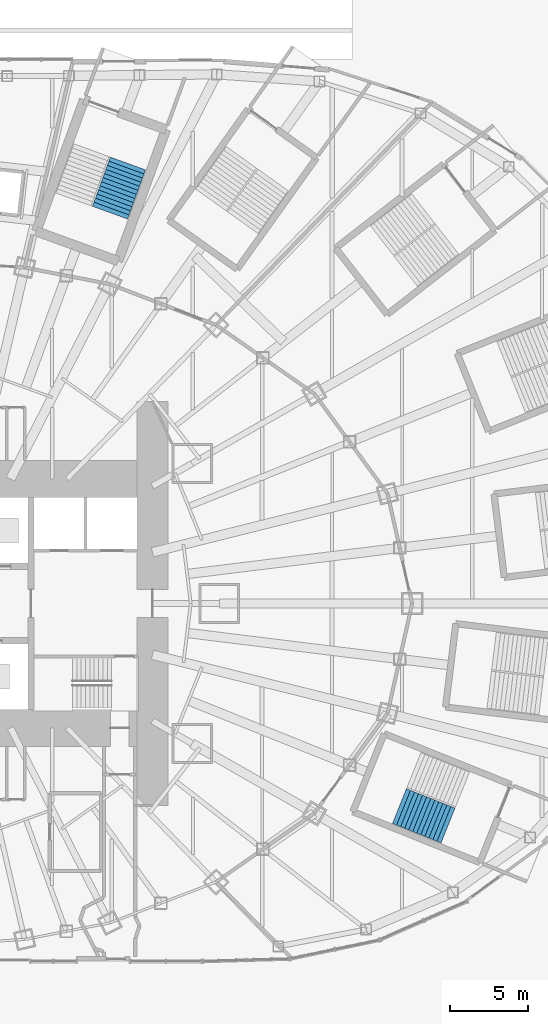
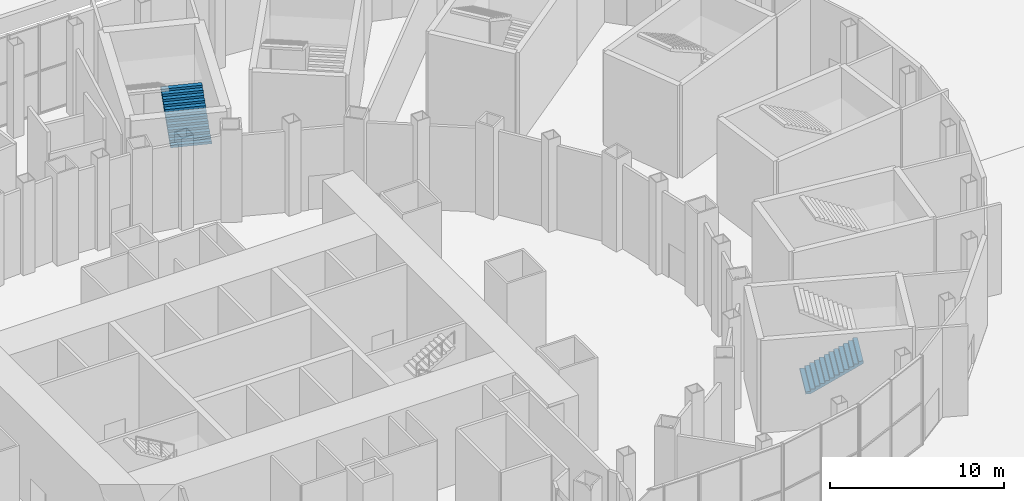
# One storey, part 36 of 47: 2 stair flights, 2 elements without a shape of their own.
"""IFC4 building model written with IfcOpenShell, lengths in metres."""

from ifc_helpers import new_model, si_unit, direction, frame, origin, place, context, subcontext, project, spatial, triangles, material, type_object, element, aggregate, save


model = new_model("IFC4")

# Units and contexts
model_context = context("Model", 3, precision=1e-05, world=origin(), true_north=direction((0.0, 1.0)))
body_context = subcontext(model_context, "Body", "Model", "MODEL_VIEW")
ifc_project = project(units=[si_unit("LENGTHUNIT", "METRE"), si_unit("AREAUNIT", "SQUARE_METRE"), si_unit("VOLUMEUNIT", "CUBIC_METRE"), si_unit("PLANEANGLEUNIT", "RADIAN"), si_unit("MASSUNIT", "GRAM", prefix="KILO")], contexts=[model_context])

# Site, building, storey
site_placement = place(None, origin())
site = spatial("IfcSite", under=ifc_project, at=site_placement, CompositionType="ELEMENT")
building_placement = place(site_placement, origin())
building = spatial("IfcBuilding", under=site, at=building_placement, Name="Lantaw Convention Tower", CompositionType="ELEMENT")
storey_placement = place(building_placement, origin())
storey = spatial("IfcBuildingStorey", under=building, at=storey_placement, Name="L00", CompositionType="ELEMENT", Elevation=0.0)

# Stair, stair flight
ifc_material = material(Name="Concrete C35/45", Category="concrete")
stair_type = type_object("IfcStairType", Name="Exit stair 2400 riser 166.67 in 3 flights", PredefinedType="HALF_TURN_STAIR", material=ifc_material)
stair_1_placement = place(storey_placement, origin())
stair_1 = element("IfcStair", 1, at=stair_1_placement, inside=storey, type_object=stair_type, Name="Podium exit stair P5 L00", PredefinedType="HALF_TURN_STAIR")
stair_flight_type = type_object("IfcStairFlightType", Name="Stair flight 2400 riser 166.67", PredefinedType="STRAIGHT", material=ifc_material)
stair_flight_1_placement = place(storey_placement, frame((10.476318359375, 25.128662109375, 2.166748046875), z_axis=(0.0, 0.0, 1.0), x_axis=(0.342020143326, 0.939692620786, 0.0)))
stair_flight_1 = element("IfcStairFlight", 2, at=stair_flight_1_placement, type_object=stair_flight_type, Name="P5 flight 2", NumberOfRisers=13, NumberOfTreads=12, PredefinedType="STRAIGHT", RiserHeight=0.166666667, TreadLength=0.28, context=body_context, shape_type="Tessellation", body=[
    triangles([(0.0, 1.199951171875, 0.0), (0.0, 1.199951171875, 0.166666667), (0.28, 1.199951171875, 0.0), (0.28, 1.199951171875, 0.166666667), (0.28, 1.199951171875, 0.333333334), (0.29307345806906815, 1.199951171875, 0.0), (0.29307345806906815, 1.199951171875, 0.333333334), (0.56, 1.199951171875, 0.15888484670522912), (0.56, 1.199951171875, 0.333333334), (0.56, 1.199951171875, 0.500000001), (0.8400000000000001, 1.199951171875, 0.3255515137052291), (0.8400000000000001, 1.199951171875, 0.500000001), (0.8400000000000001, 1.199951171875, 0.666666668), (1.12, 1.199951171875, 0.49221818070522905), (1.12, 1.199951171875, 0.666666668), (1.12, 1.199951171875, 0.833333335), (1.4000000000000001, 1.199951171875, 0.658884847705229), (1.4000000000000001, 1.199951171875, 0.833333335), (1.4000000000000001, 1.199951171875, 1.000000002), (1.6800000000000002, 1.199951171875, 0.825551514705229), (1.6800000000000002, 1.199951171875, 1.000000002), (1.6800000000000002, 1.199951171875, 1.166666669), (1.9600000000000002, 1.199951171875, 0.992218181705229), (1.9600000000000002, 1.199951171875, 1.166666669), (1.9600000000000002, 1.199951171875, 1.333333336), (2.24, 1.199951171875, 1.158884848705229), (2.24, 1.199951171875, 1.333333336), (2.24, 1.199951171875, 1.5000000029999998), (2.5200000000000005, 1.199951171875, 1.325551515705229), (2.5200000000000005, 1.199951171875, 1.5000000029999998), (2.5200000000000005, 1.199951171875, 1.66666667), (2.8000000000000003, 1.199951171875, 1.492218182705229), (2.8000000000000003, 1.199951171875, 1.66666667), (2.8000000000000003, 1.199951171875, 1.833333337), (3.08, 1.199951171875, 1.6588848497052289), (3.08, 1.199951171875, 1.833333337), (3.08, 1.199951171875, 2.000000004), (3.3600000000000003, 1.199951171875, 1.825551516705229), (3.3600000000000003, 1.199951171875, 2.000000004), (0.0, -1.199951171875, 0.0), (0.0, -1.199951171875, 0.166666667), (0.28, -1.199951171875, 0.0), (0.28, -1.199951171875, 0.166666667), (0.28, -1.199951171875, 0.333333334), (0.29307345806906815, -1.199951171875, 0.0), (0.29307345806906815, -1.199951171875, 0.333333334), (0.56, -1.199951171875, 0.15888484670522912), (0.56, -1.199951171875, 0.333333334), (0.56, -1.199951171875, 0.500000001), (0.8400000000000001, -1.199951171875, 0.3255515137052291), (0.8400000000000001, -1.199951171875, 0.500000001), (0.8400000000000001, -1.199951171875, 0.666666668), (1.12, -1.199951171875, 0.49221818070522905), (1.12, -1.199951171875, 0.666666668), (1.12, -1.199951171875, 0.833333335), (1.4000000000000001, -1.199951171875, 0.658884847705229), (1.4000000000000001, -1.199951171875, 0.833333335), (1.4000000000000001, -1.199951171875, 1.000000002), (1.6800000000000002, -1.199951171875, 0.825551514705229), (1.6800000000000002, -1.199951171875, 1.000000002), (1.6800000000000002, -1.199951171875, 1.166666669), (1.9600000000000002, -1.199951171875, 0.992218181705229), (1.9600000000000002, -1.199951171875, 1.166666669), (1.9600000000000002, -1.199951171875, 1.333333336), (2.24, -1.199951171875, 1.158884848705229), (2.24, -1.199951171875, 1.333333336), (2.24, -1.199951171875, 1.5000000029999998), (2.5200000000000005, -1.199951171875, 1.325551515705229), (2.5200000000000005, -1.199951171875, 1.5000000029999998), (2.5200000000000005, -1.199951171875, 1.66666667), (2.8000000000000003, -1.199951171875, 1.492218182705229), (2.8000000000000003, -1.199951171875, 1.66666667), (2.8000000000000003, -1.199951171875, 1.833333337), (3.08, -1.199951171875, 1.6588848497052289), (3.08, -1.199951171875, 1.833333337), (3.08, -1.199951171875, 2.000000004), (3.3600000000000003, -1.199951171875, 1.825551516705229), (3.3600000000000003, -1.199951171875, 2.000000004), (0.0, 0.239990234375, 0.166666667), (0.0, 0.239990234375, 0.0), (0.0, 0.0, 0.166666667), (0.0, 0.0, 0.0), (0.0, -0.239990234375, 0.166666667), (0.0, -0.239990234375, 0.0), (0.28, 0.239990234375, 0.333333334), (0.28, 0.239990234375, 0.166666667), (0.28, 0.0, 0.333333334), (0.28, 0.0, 0.166666667), (0.28, -0.239990234375, 0.333333334), (0.28, -0.239990234375, 0.166666667), (0.56, 0.239990234375, 0.500000001), (0.56, 0.239990234375, 0.333333334), (0.56, 0.0, 0.500000001), (0.56, 0.0, 0.333333334), (0.56, -0.239990234375, 0.500000001), (0.56, -0.239990234375, 0.333333334), (0.8400000000000001, 0.239990234375, 0.666666668), (0.8400000000000001, 0.239990234375, 0.500000001), (0.8400000000000001, 0.0, 0.666666668), (0.8400000000000001, 0.0, 0.500000001), (0.8400000000000001, -0.239990234375, 0.666666668), (0.8400000000000001, -0.239990234375, 0.500000001), (1.12, 0.239990234375, 0.833333335), (1.12, 0.239990234375, 0.666666668), (1.12, 0.0, 0.833333335), (1.12, 0.0, 0.666666668), (1.12, -0.239990234375, 0.833333335), (1.12, -0.239990234375, 0.666666668), (1.4000000000000001, 0.239990234375, 1.000000002), (1.4000000000000001, 0.239990234375, 0.833333335), (1.4000000000000001, 0.0, 1.000000002), (1.4000000000000001, 0.0, 0.833333335), (1.4000000000000001, -0.239990234375, 1.000000002), (1.4000000000000001, -0.239990234375, 0.833333335), (1.6800000000000002, 0.239990234375, 1.166666669), (1.6800000000000002, 0.239990234375, 1.000000002), (1.6800000000000002, 0.0, 1.166666669), (1.6800000000000002, 0.0, 1.000000002), (1.6800000000000002, -0.239990234375, 1.166666669), (1.6800000000000002, -0.239990234375, 1.000000002), (1.9600000000000002, 0.239990234375, 1.333333336), (1.9600000000000002, 0.239990234375, 1.166666669), (1.9600000000000002, 0.0, 1.333333336), (1.9600000000000002, 0.0, 1.166666669), (1.9600000000000002, -0.239990234375, 1.333333336), (1.9600000000000002, -0.239990234375, 1.166666669), (2.24, 0.239990234375, 1.5000000029999998), (2.24, 0.239990234375, 1.333333336), (2.24, 0.0, 1.5000000029999998), (2.24, 0.0, 1.333333336), (2.24, -0.239990234375, 1.5000000029999998), (2.24, -0.239990234375, 1.333333336), (2.5200000000000005, 0.239990234375, 1.66666667), (2.5200000000000005, 0.239990234375, 1.5000000029999998), (2.5200000000000005, 0.0, 1.66666667), (2.5200000000000005, 0.0, 1.5000000029999998), (2.5200000000000005, -0.239990234375, 1.66666667), (2.5200000000000005, -0.239990234375, 1.5000000029999998), (2.8000000000000003, 0.239990234375, 1.833333337), (2.8000000000000003, 0.239990234375, 1.66666667), (2.8000000000000003, 0.0, 1.833333337), (2.8000000000000003, 0.0, 1.66666667), (2.8000000000000003, -0.239990234375, 1.833333337), (2.8000000000000003, -0.239990234375, 1.66666667), (3.08, 0.239990234375, 2.000000004), (3.08, 0.239990234375, 1.833333337), (3.08, 0.0, 2.000000004), (3.08, 0.0, 1.833333337), (3.08, -0.239990234375, 2.000000004), (3.08, -0.239990234375, 1.833333337), (0.29307345806906815, 0.239990234375, 0.333333334), (0.29307345806906815, 0.0, 0.333333334), (0.29307345806906815, -0.239990234375, 0.333333334), (3.3600000000000003, 0.239990234375, 2.000000004), (3.3600000000000003, 0.0, 2.000000004), (3.3600000000000003, -0.239990234375, 2.000000004), (3.3600000000000003, 0.239990234375, 1.8255515167052292), (3.3600000000000003, 0.0, 1.8255515167052292), (3.3600000000000003, -0.239990234375, 1.8255515167052292), (3.08, 0.239990234375, 1.6588848497052289), (3.08, 0.0, 1.6588848497052289), (3.08, -0.239990234375, 1.6588848497052289), (2.8000000000000003, 0.239990234375, 1.492218182705229), (2.8000000000000003, 0.0, 1.492218182705229), (2.8000000000000003, -0.239990234375, 1.492218182705229), (2.5200000000000005, 0.239990234375, 1.325551515705229), (2.5200000000000005, 0.0, 1.325551515705229), (2.5200000000000005, -0.239990234375, 1.325551515705229), (2.24, 0.239990234375, 1.158884848705229), (2.24, 0.0, 1.158884848705229), (2.24, -0.239990234375, 1.158884848705229), (1.9600000000000002, 0.239990234375, 0.992218181705229), (1.9600000000000002, 0.0, 0.992218181705229), (1.9600000000000002, -0.239990234375, 0.992218181705229), (1.6800000000000002, 0.239990234375, 0.825551514705229), (1.6800000000000002, 0.0, 0.825551514705229), (1.6800000000000002, -0.239990234375, 0.825551514705229), (1.4000000000000001, 0.239990234375, 0.658884847705229), (1.4000000000000001, 0.0, 0.658884847705229), (1.4000000000000001, -0.239990234375, 0.658884847705229), (1.12, 0.239990234375, 0.49221818070522905), (1.12, 0.0, 0.49221818070522905), (1.12, -0.239990234375, 0.49221818070522905), (0.8400000000000001, 0.239990234375, 0.3255515137052291), (0.8400000000000001, 0.0, 0.3255515137052291), (0.8400000000000001, -0.239990234375, 0.3255515137052291), (0.56, 0.239990234375, 0.15888484670522912), (0.56, 0.0, 0.15888484670522912), (0.56, -0.239990234375, 0.15888484670522912), (0.29307345806906815, 0.239990234375, 0.0), (0.29307345806906815, 0.0, 0.0), (0.29307345806906815, -0.239990234375, 0.0), (0.28, 0.239990234375, 0.0), (0.28, 0.0, 0.0), (0.28, -0.239990234375, 0.0)], [[1, 4, 3], [1, 2, 4], [3, 4, 6], [4, 7, 6], [4, 5, 7], [6, 9, 8], [6, 7, 9], [8, 9, 11], [9, 12, 11], [9, 10, 12], [11, 12, 14], [12, 15, 14], [12, 13, 15], [14, 15, 17], [15, 18, 17], [15, 16, 18], [17, 18, 20], [18, 21, 20], [18, 19, 21], [20, 21, 23], [21, 24, 23], [21, 22, 24], [23, 24, 26], [24, 27, 26], [24, 25, 27], [26, 27, 29], [27, 30, 29], [27, 28, 30], [29, 30, 32], [30, 33, 32], [30, 31, 33], [32, 33, 35], [33, 36, 35], [33, 34, 36], [35, 36, 38], [36, 39, 38], [36, 37, 39], [40, 42, 43], [40, 43, 41], [42, 45, 43], [43, 45, 46], [43, 46, 44], [45, 47, 48], [45, 48, 46], [47, 50, 48], [48, 50, 51], [48, 51, 49], [50, 53, 51], [51, 53, 54], [51, 54, 52], [53, 56, 54], [54, 56, 57], [54, 57, 55], [56, 59, 57], [57, 59, 60], [57, 60, 58], [59, 62, 60], [60, 62, 63], [60, 63, 61], [62, 65, 63], [63, 65, 66], [63, 66, 64], [65, 68, 66], [66, 68, 69], [66, 69, 67], [68, 71, 69], [69, 71, 72], [69, 72, 70], [71, 74, 72], [72, 74, 75], [72, 75, 73], [74, 77, 75], [75, 77, 78], [75, 78, 76], [1, 79, 2], [1, 80, 79], [80, 81, 79], [80, 82, 81], [82, 83, 81], [82, 84, 83], [84, 41, 83], [84, 40, 41], [4, 85, 5], [4, 86, 85], [86, 87, 85], [86, 88, 87], [88, 89, 87], [88, 90, 89], [90, 44, 89], [90, 43, 44], [9, 91, 10], [9, 92, 91], [92, 93, 91], [92, 94, 93], [94, 95, 93], [94, 96, 95], [96, 49, 95], [96, 48, 49], [12, 97, 13], [12, 98, 97], [98, 99, 97], [98, 100, 99], [100, 101, 99], [100, 102, 101], [102, 52, 101], [102, 51, 52], [15, 103, 16], [15, 104, 103], [104, 105, 103], [104, 106, 105], [106, 107, 105], [106, 108, 107], [108, 55, 107], [108, 54, 55], [18, 109, 19], [18, 110, 109], [110, 111, 109], [110, 112, 111], [112, 113, 111], [112, 114, 113], [114, 58, 113], [114, 57, 58], [21, 115, 22], [21, 116, 115], [116, 117, 115], [116, 118, 117], [118, 119, 117], [118, 120, 119], [120, 61, 119], [120, 60, 61], [24, 121, 25], [24, 122, 121], [122, 123, 121], [122, 124, 123], [124, 125, 123], [124, 126, 125], [126, 64, 125], [126, 63, 64], [27, 127, 28], [27, 128, 127], [128, 129, 127], [128, 130, 129], [130, 131, 129], [130, 132, 131], [132, 67, 131], [132, 66, 67], [30, 133, 31], [30, 134, 133], [134, 135, 133], [134, 136, 135], [136, 137, 135], [136, 138, 137], [138, 70, 137], [138, 69, 70], [33, 139, 34], [33, 140, 139], [140, 141, 139], [140, 142, 141], [142, 143, 141], [142, 144, 143], [144, 73, 143], [144, 72, 73], [36, 145, 37], [36, 146, 145], [146, 147, 145], [146, 148, 147], [148, 149, 147], [148, 150, 149], [150, 76, 149], [150, 75, 76], [2, 86, 4], [2, 79, 86], [79, 88, 86], [79, 81, 88], [81, 90, 88], [81, 83, 90], [83, 43, 90], [83, 41, 43], [5, 151, 7], [5, 85, 151], [85, 152, 151], [85, 87, 152], [87, 153, 152], [87, 89, 153], [89, 46, 153], [89, 44, 46], [7, 92, 9], [7, 151, 92], [151, 94, 92], [151, 152, 94], [152, 96, 94], [152, 153, 96], [153, 48, 96], [153, 46, 48], [10, 98, 12], [10, 91, 98], [91, 100, 98], [91, 93, 100], [93, 102, 100], [93, 95, 102], [95, 51, 102], [95, 49, 51], [13, 104, 15], [13, 97, 104], [97, 106, 104], [97, 99, 106], [99, 108, 106], [99, 101, 108], [101, 54, 108], [101, 52, 54], [16, 110, 18], [16, 103, 110], [103, 112, 110], [103, 105, 112], [105, 114, 112], [105, 107, 114], [107, 57, 114], [107, 55, 57], [19, 116, 21], [19, 109, 116], [109, 118, 116], [109, 111, 118], [111, 120, 118], [111, 113, 120], [113, 60, 120], [113, 58, 60], [22, 122, 24], [22, 115, 122], [115, 124, 122], [115, 117, 124], [117, 126, 124], [117, 119, 126], [119, 63, 126], [119, 61, 63], [25, 128, 27], [25, 121, 128], [121, 130, 128], [121, 123, 130], [123, 132, 130], [123, 125, 132], [125, 66, 132], [125, 64, 66], [28, 134, 30], [28, 127, 134], [127, 136, 134], [127, 129, 136], [129, 138, 136], [129, 131, 138], [131, 69, 138], [131, 67, 69], [31, 140, 33], [31, 133, 140], [133, 142, 140], [133, 135, 142], [135, 144, 142], [135, 137, 144], [137, 72, 144], [137, 70, 72], [34, 146, 36], [34, 139, 146], [139, 148, 146], [139, 141, 148], [141, 150, 148], [141, 143, 150], [143, 75, 150], [143, 73, 75], [37, 154, 39], [37, 145, 154], [145, 155, 154], [145, 147, 155], [147, 156, 155], [147, 149, 156], [149, 78, 156], [149, 76, 78], [39, 157, 38], [39, 154, 157], [154, 158, 157], [154, 155, 158], [155, 159, 158], [155, 156, 159], [156, 77, 159], [156, 78, 77], [38, 160, 35], [38, 157, 160], [157, 161, 160], [157, 158, 161], [158, 162, 161], [158, 159, 162], [159, 74, 162], [159, 77, 74], [35, 163, 32], [35, 160, 163], [160, 164, 163], [160, 161, 164], [161, 165, 164], [161, 162, 165], [162, 71, 165], [162, 74, 71], [32, 166, 29], [32, 163, 166], [163, 167, 166], [163, 164, 167], [164, 168, 167], [164, 165, 168], [165, 68, 168], [165, 71, 68], [29, 169, 26], [29, 166, 169], [166, 170, 169], [166, 167, 170], [167, 171, 170], [167, 168, 171], [168, 65, 171], [168, 68, 65], [26, 172, 23], [26, 169, 172], [169, 173, 172], [169, 170, 173], [170, 174, 173], [170, 171, 174], [171, 62, 174], [171, 65, 62], [23, 175, 20], [23, 172, 175], [172, 176, 175], [172, 173, 176], [173, 177, 176], [173, 174, 177], [174, 59, 177], [174, 62, 59], [20, 178, 17], [20, 175, 178], [175, 179, 178], [175, 176, 179], [176, 180, 179], [176, 177, 180], [177, 56, 180], [177, 59, 56], [17, 181, 14], [17, 178, 181], [178, 182, 181], [178, 179, 182], [179, 183, 182], [179, 180, 183], [180, 53, 183], [180, 56, 53], [14, 184, 11], [14, 181, 184], [181, 185, 184], [181, 182, 185], [182, 186, 185], [182, 183, 186], [183, 50, 186], [183, 53, 50], [11, 187, 8], [11, 184, 187], [184, 188, 187], [184, 185, 188], [185, 189, 188], [185, 186, 189], [186, 47, 189], [186, 50, 47], [8, 190, 6], [8, 187, 190], [187, 191, 190], [187, 188, 191], [188, 192, 191], [188, 189, 192], [189, 45, 192], [189, 47, 45], [6, 193, 3], [6, 190, 193], [190, 194, 193], [190, 191, 194], [191, 195, 194], [191, 192, 195], [192, 42, 195], [192, 45, 42], [3, 80, 1], [3, 193, 80], [193, 82, 80], [193, 194, 82], [194, 84, 82], [194, 195, 84], [195, 40, 84], [195, 42, 40]], closed=True),
])
aggregate(stair_1, [stair_flight_1])

stair_2_placement = place(storey_placement, origin())
stair_2 = element("IfcStair", 3, at=stair_2_placement, inside=storey, type_object=stair_type, Name="Podium exit stair P12 L00", PredefinedType="HALF_TURN_STAIR")
stair_flight_2_placement = place(storey_placement, frame((29.08642578125, -13.0234375, 2.166748046875), z_axis=(0.0, 0.0, 1.0), x_axis=(0.928015818512, -0.372540790506, 0.0)))
stair_flight_2 = element("IfcStairFlight", 4, at=stair_flight_2_placement, type_object=stair_flight_type, Name="P12 flight 2", NumberOfRisers=13, NumberOfTreads=12, PredefinedType="STRAIGHT", RiserHeight=0.166666667, TreadLength=0.28, context=body_context, shape_type="Tessellation", body=[
    triangles([(0.0, 1.199951171875, 0.0), (0.0, 1.199951171875, 0.166666667), (0.28, 1.199951171875, 0.0), (0.28, 1.199951171875, 0.166666667), (0.28, 1.199951171875, 0.333333334), (0.29307345806906815, 1.199951171875, 0.0), (0.29307345806906815, 1.199951171875, 0.333333334), (0.56, 1.199951171875, 0.15888484670522912), (0.56, 1.199951171875, 0.333333334), (0.56, 1.199951171875, 0.500000001), (0.8400000000000001, 1.199951171875, 0.3255515137052291), (0.8400000000000001, 1.199951171875, 0.500000001), (0.8400000000000001, 1.199951171875, 0.666666668), (1.12, 1.199951171875, 0.49221818070522905), (1.12, 1.199951171875, 0.666666668), (1.12, 1.199951171875, 0.833333335), (1.4000000000000001, 1.199951171875, 0.658884847705229), (1.4000000000000001, 1.199951171875, 0.833333335), (1.4000000000000001, 1.199951171875, 1.000000002), (1.6800000000000002, 1.199951171875, 0.825551514705229), (1.6800000000000002, 1.199951171875, 1.000000002), (1.6800000000000002, 1.199951171875, 1.166666669), (1.9600000000000002, 1.199951171875, 0.992218181705229), (1.9600000000000002, 1.199951171875, 1.166666669), (1.9600000000000002, 1.199951171875, 1.333333336), (2.24, 1.199951171875, 1.158884848705229), (2.24, 1.199951171875, 1.333333336), (2.24, 1.199951171875, 1.5000000029999998), (2.5200000000000005, 1.199951171875, 1.325551515705229), (2.5200000000000005, 1.199951171875, 1.5000000029999998), (2.5200000000000005, 1.199951171875, 1.66666667), (2.8000000000000003, 1.199951171875, 1.492218182705229), (2.8000000000000003, 1.199951171875, 1.66666667), (2.8000000000000003, 1.199951171875, 1.833333337), (3.08, 1.199951171875, 1.6588848497052289), (3.08, 1.199951171875, 1.833333337), (3.08, 1.199951171875, 2.000000004), (3.3600000000000003, 1.199951171875, 1.825551516705229), (3.3600000000000003, 1.199951171875, 2.000000004), (0.0, -1.199951171875, 0.0), (0.0, -1.199951171875, 0.166666667), (0.28, -1.199951171875, 0.0), (0.28, -1.199951171875, 0.166666667), (0.28, -1.199951171875, 0.333333334), (0.29307345806906815, -1.199951171875, 0.0), (0.29307345806906815, -1.199951171875, 0.333333334), (0.56, -1.199951171875, 0.15888484670522912), (0.56, -1.199951171875, 0.333333334), (0.56, -1.199951171875, 0.500000001), (0.8400000000000001, -1.199951171875, 0.3255515137052291), (0.8400000000000001, -1.199951171875, 0.500000001), (0.8400000000000001, -1.199951171875, 0.666666668), (1.12, -1.199951171875, 0.49221818070522905), (1.12, -1.199951171875, 0.666666668), (1.12, -1.199951171875, 0.833333335), (1.4000000000000001, -1.199951171875, 0.658884847705229), (1.4000000000000001, -1.199951171875, 0.833333335), (1.4000000000000001, -1.199951171875, 1.000000002), (1.6800000000000002, -1.199951171875, 0.825551514705229), (1.6800000000000002, -1.199951171875, 1.000000002), (1.6800000000000002, -1.199951171875, 1.166666669), (1.9600000000000002, -1.199951171875, 0.992218181705229), (1.9600000000000002, -1.199951171875, 1.166666669), (1.9600000000000002, -1.199951171875, 1.333333336), (2.24, -1.199951171875, 1.158884848705229), (2.24, -1.199951171875, 1.333333336), (2.24, -1.199951171875, 1.5000000029999998), (2.5200000000000005, -1.199951171875, 1.325551515705229), (2.5200000000000005, -1.199951171875, 1.5000000029999998), (2.5200000000000005, -1.199951171875, 1.66666667), (2.8000000000000003, -1.199951171875, 1.492218182705229), (2.8000000000000003, -1.199951171875, 1.66666667), (2.8000000000000003, -1.199951171875, 1.833333337), (3.08, -1.199951171875, 1.6588848497052289), (3.08, -1.199951171875, 1.833333337), (3.08, -1.199951171875, 2.000000004), (3.3600000000000003, -1.199951171875, 1.825551516705229), (3.3600000000000003, -1.199951171875, 2.000000004), (0.0, 0.239990234375, 0.166666667), (0.0, 0.239990234375, 0.0), (0.0, 0.0, 0.166666667), (0.0, 0.0, 0.0), (0.0, -0.239990234375, 0.166666667), (0.0, -0.239990234375, 0.0), (0.28, 0.239990234375, 0.333333334), (0.28, 0.239990234375, 0.166666667), (0.28, 0.0, 0.333333334), (0.28, 0.0, 0.166666667), (0.28, -0.239990234375, 0.333333334), (0.28, -0.239990234375, 0.166666667), (0.56, 0.239990234375, 0.500000001), (0.56, 0.239990234375, 0.333333334), (0.56, 0.0, 0.500000001), (0.56, 0.0, 0.333333334), (0.56, -0.239990234375, 0.500000001), (0.56, -0.239990234375, 0.333333334), (0.8400000000000001, 0.239990234375, 0.666666668), (0.8400000000000001, 0.239990234375, 0.500000001), (0.8400000000000001, 0.0, 0.666666668), (0.8400000000000001, 0.0, 0.500000001), (0.8400000000000001, -0.239990234375, 0.666666668), (0.8400000000000001, -0.239990234375, 0.500000001), (1.12, 0.239990234375, 0.833333335), (1.12, 0.239990234375, 0.666666668), (1.12, 0.0, 0.833333335), (1.12, 0.0, 0.666666668), (1.12, -0.239990234375, 0.833333335), (1.12, -0.239990234375, 0.666666668), (1.4000000000000001, 0.239990234375, 1.000000002), (1.4000000000000001, 0.239990234375, 0.833333335), (1.4000000000000001, 0.0, 1.000000002), (1.4000000000000001, 0.0, 0.833333335), (1.4000000000000001, -0.239990234375, 1.000000002), (1.4000000000000001, -0.239990234375, 0.833333335), (1.6800000000000002, 0.239990234375, 1.166666669), (1.6800000000000002, 0.239990234375, 1.000000002), (1.6800000000000002, 0.0, 1.166666669), (1.6800000000000002, 0.0, 1.000000002), (1.6800000000000002, -0.239990234375, 1.166666669), (1.6800000000000002, -0.239990234375, 1.000000002), (1.9600000000000002, 0.239990234375, 1.333333336), (1.9600000000000002, 0.239990234375, 1.166666669), (1.9600000000000002, 0.0, 1.333333336), (1.9600000000000002, 0.0, 1.166666669), (1.9600000000000002, -0.239990234375, 1.333333336), (1.9600000000000002, -0.239990234375, 1.166666669), (2.24, 0.239990234375, 1.5000000029999998), (2.24, 0.239990234375, 1.333333336), (2.24, 0.0, 1.5000000029999998), (2.24, 0.0, 1.333333336), (2.24, -0.239990234375, 1.5000000029999998), (2.24, -0.239990234375, 1.333333336), (2.5200000000000005, 0.239990234375, 1.66666667), (2.5200000000000005, 0.239990234375, 1.5000000029999998), (2.5200000000000005, 0.0, 1.66666667), (2.5200000000000005, 0.0, 1.5000000029999998), (2.5200000000000005, -0.239990234375, 1.66666667), (2.5200000000000005, -0.239990234375, 1.5000000029999998), (2.8000000000000003, 0.239990234375, 1.833333337), (2.8000000000000003, 0.239990234375, 1.66666667), (2.8000000000000003, 0.0, 1.833333337), (2.8000000000000003, 0.0, 1.66666667), (2.8000000000000003, -0.239990234375, 1.833333337), (2.8000000000000003, -0.239990234375, 1.66666667), (3.08, 0.239990234375, 2.000000004), (3.08, 0.239990234375, 1.833333337), (3.08, 0.0, 2.000000004), (3.08, 0.0, 1.833333337), (3.08, -0.239990234375, 2.000000004), (3.08, -0.239990234375, 1.833333337), (0.29307345806906815, 0.239990234375, 0.333333334), (0.29307345806906815, 0.0, 0.333333334), (0.29307345806906815, -0.239990234375, 0.333333334), (3.3600000000000003, 0.239990234375, 2.000000004), (3.3600000000000003, 0.0, 2.000000004), (3.3600000000000003, -0.239990234375, 2.000000004), (3.3600000000000003, 0.239990234375, 1.8255515167052292), (3.3600000000000003, 0.0, 1.8255515167052292), (3.3600000000000003, -0.239990234375, 1.8255515167052292), (3.08, 0.239990234375, 1.6588848497052289), (3.08, 0.0, 1.6588848497052289), (3.08, -0.239990234375, 1.6588848497052289), (2.8000000000000003, 0.239990234375, 1.492218182705229), (2.8000000000000003, 0.0, 1.492218182705229), (2.8000000000000003, -0.239990234375, 1.492218182705229), (2.5200000000000005, 0.239990234375, 1.325551515705229), (2.5200000000000005, 0.0, 1.325551515705229), (2.5200000000000005, -0.239990234375, 1.325551515705229), (2.24, 0.239990234375, 1.158884848705229), (2.24, 0.0, 1.158884848705229), (2.24, -0.239990234375, 1.158884848705229), (1.9600000000000002, 0.239990234375, 0.992218181705229), (1.9600000000000002, 0.0, 0.992218181705229), (1.9600000000000002, -0.239990234375, 0.992218181705229), (1.6800000000000002, 0.239990234375, 0.825551514705229), (1.6800000000000002, 0.0, 0.825551514705229), (1.6800000000000002, -0.239990234375, 0.825551514705229), (1.4000000000000001, 0.239990234375, 0.658884847705229), (1.4000000000000001, 0.0, 0.658884847705229), (1.4000000000000001, -0.239990234375, 0.658884847705229), (1.12, 0.239990234375, 0.49221818070522905), (1.12, 0.0, 0.49221818070522905), (1.12, -0.239990234375, 0.49221818070522905), (0.8400000000000001, 0.239990234375, 0.3255515137052291), (0.8400000000000001, 0.0, 0.3255515137052291), (0.8400000000000001, -0.239990234375, 0.3255515137052291), (0.56, 0.239990234375, 0.15888484670522912), (0.56, 0.0, 0.15888484670522912), (0.56, -0.239990234375, 0.15888484670522912), (0.29307345806906815, 0.239990234375, 0.0), (0.29307345806906815, 0.0, 0.0), (0.29307345806906815, -0.239990234375, 0.0), (0.28, 0.239990234375, 0.0), (0.28, 0.0, 0.0), (0.28, -0.239990234375, 0.0)], [[1, 4, 3], [1, 2, 4], [3, 4, 6], [4, 7, 6], [4, 5, 7], [6, 9, 8], [6, 7, 9], [8, 9, 11], [9, 12, 11], [9, 10, 12], [11, 12, 14], [12, 15, 14], [12, 13, 15], [14, 15, 17], [15, 18, 17], [15, 16, 18], [17, 18, 20], [18, 21, 20], [18, 19, 21], [20, 21, 23], [21, 24, 23], [21, 22, 24], [23, 24, 26], [24, 27, 26], [24, 25, 27], [26, 27, 29], [27, 30, 29], [27, 28, 30], [29, 30, 32], [30, 33, 32], [30, 31, 33], [32, 33, 35], [33, 36, 35], [33, 34, 36], [35, 36, 38], [36, 39, 38], [36, 37, 39], [40, 42, 43], [40, 43, 41], [42, 45, 43], [43, 45, 46], [43, 46, 44], [45, 47, 48], [45, 48, 46], [47, 50, 48], [48, 50, 51], [48, 51, 49], [50, 53, 51], [51, 53, 54], [51, 54, 52], [53, 56, 54], [54, 56, 57], [54, 57, 55], [56, 59, 57], [57, 59, 60], [57, 60, 58], [59, 62, 60], [60, 62, 63], [60, 63, 61], [62, 65, 63], [63, 65, 66], [63, 66, 64], [65, 68, 66], [66, 68, 69], [66, 69, 67], [68, 71, 69], [69, 71, 72], [69, 72, 70], [71, 74, 72], [72, 74, 75], [72, 75, 73], [74, 77, 75], [75, 77, 78], [75, 78, 76], [1, 79, 2], [1, 80, 79], [80, 81, 79], [80, 82, 81], [82, 83, 81], [82, 84, 83], [84, 41, 83], [84, 40, 41], [4, 85, 5], [4, 86, 85], [86, 87, 85], [86, 88, 87], [88, 89, 87], [88, 90, 89], [90, 44, 89], [90, 43, 44], [9, 91, 10], [9, 92, 91], [92, 93, 91], [92, 94, 93], [94, 95, 93], [94, 96, 95], [96, 49, 95], [96, 48, 49], [12, 97, 13], [12, 98, 97], [98, 99, 97], [98, 100, 99], [100, 101, 99], [100, 102, 101], [102, 52, 101], [102, 51, 52], [15, 103, 16], [15, 104, 103], [104, 105, 103], [104, 106, 105], [106, 107, 105], [106, 108, 107], [108, 55, 107], [108, 54, 55], [18, 109, 19], [18, 110, 109], [110, 111, 109], [110, 112, 111], [112, 113, 111], [112, 114, 113], [114, 58, 113], [114, 57, 58], [21, 115, 22], [21, 116, 115], [116, 117, 115], [116, 118, 117], [118, 119, 117], [118, 120, 119], [120, 61, 119], [120, 60, 61], [24, 121, 25], [24, 122, 121], [122, 123, 121], [122, 124, 123], [124, 125, 123], [124, 126, 125], [126, 64, 125], [126, 63, 64], [27, 127, 28], [27, 128, 127], [128, 129, 127], [128, 130, 129], [130, 131, 129], [130, 132, 131], [132, 67, 131], [132, 66, 67], [30, 133, 31], [30, 134, 133], [134, 135, 133], [134, 136, 135], [136, 137, 135], [136, 138, 137], [138, 70, 137], [138, 69, 70], [33, 139, 34], [33, 140, 139], [140, 141, 139], [140, 142, 141], [142, 143, 141], [142, 144, 143], [144, 73, 143], [144, 72, 73], [36, 145, 37], [36, 146, 145], [146, 147, 145], [146, 148, 147], [148, 149, 147], [148, 150, 149], [150, 76, 149], [150, 75, 76], [2, 86, 4], [2, 79, 86], [79, 88, 86], [79, 81, 88], [81, 90, 88], [81, 83, 90], [83, 43, 90], [83, 41, 43], [5, 151, 7], [5, 85, 151], [85, 152, 151], [85, 87, 152], [87, 153, 152], [87, 89, 153], [89, 46, 153], [89, 44, 46], [7, 92, 9], [7, 151, 92], [151, 94, 92], [151, 152, 94], [152, 96, 94], [152, 153, 96], [153, 48, 96], [153, 46, 48], [10, 98, 12], [10, 91, 98], [91, 100, 98], [91, 93, 100], [93, 102, 100], [93, 95, 102], [95, 51, 102], [95, 49, 51], [13, 104, 15], [13, 97, 104], [97, 106, 104], [97, 99, 106], [99, 108, 106], [99, 101, 108], [101, 54, 108], [101, 52, 54], [16, 110, 18], [16, 103, 110], [103, 112, 110], [103, 105, 112], [105, 114, 112], [105, 107, 114], [107, 57, 114], [107, 55, 57], [19, 116, 21], [19, 109, 116], [109, 118, 116], [109, 111, 118], [111, 120, 118], [111, 113, 120], [113, 60, 120], [113, 58, 60], [22, 122, 24], [22, 115, 122], [115, 124, 122], [115, 117, 124], [117, 126, 124], [117, 119, 126], [119, 63, 126], [119, 61, 63], [25, 128, 27], [25, 121, 128], [121, 130, 128], [121, 123, 130], [123, 132, 130], [123, 125, 132], [125, 66, 132], [125, 64, 66], [28, 134, 30], [28, 127, 134], [127, 136, 134], [127, 129, 136], [129, 138, 136], [129, 131, 138], [131, 69, 138], [131, 67, 69], [31, 140, 33], [31, 133, 140], [133, 142, 140], [133, 135, 142], [135, 144, 142], [135, 137, 144], [137, 72, 144], [137, 70, 72], [34, 146, 36], [34, 139, 146], [139, 148, 146], [139, 141, 148], [141, 150, 148], [141, 143, 150], [143, 75, 150], [143, 73, 75], [37, 154, 39], [37, 145, 154], [145, 155, 154], [145, 147, 155], [147, 156, 155], [147, 149, 156], [149, 78, 156], [149, 76, 78], [39, 157, 38], [39, 154, 157], [154, 158, 157], [154, 155, 158], [155, 159, 158], [155, 156, 159], [156, 77, 159], [156, 78, 77], [38, 160, 35], [38, 157, 160], [157, 161, 160], [157, 158, 161], [158, 162, 161], [158, 159, 162], [159, 74, 162], [159, 77, 74], [35, 163, 32], [35, 160, 163], [160, 164, 163], [160, 161, 164], [161, 165, 164], [161, 162, 165], [162, 71, 165], [162, 74, 71], [32, 166, 29], [32, 163, 166], [163, 167, 166], [163, 164, 167], [164, 168, 167], [164, 165, 168], [165, 68, 168], [165, 71, 68], [29, 169, 26], [29, 166, 169], [166, 170, 169], [166, 167, 170], [167, 171, 170], [167, 168, 171], [168, 65, 171], [168, 68, 65], [26, 172, 23], [26, 169, 172], [169, 173, 172], [169, 170, 173], [170, 174, 173], [170, 171, 174], [171, 62, 174], [171, 65, 62], [23, 175, 20], [23, 172, 175], [172, 176, 175], [172, 173, 176], [173, 177, 176], [173, 174, 177], [174, 59, 177], [174, 62, 59], [20, 178, 17], [20, 175, 178], [175, 179, 178], [175, 176, 179], [176, 180, 179], [176, 177, 180], [177, 56, 180], [177, 59, 56], [17, 181, 14], [17, 178, 181], [178, 182, 181], [178, 179, 182], [179, 183, 182], [179, 180, 183], [180, 53, 183], [180, 56, 53], [14, 184, 11], [14, 181, 184], [181, 185, 184], [181, 182, 185], [182, 186, 185], [182, 183, 186], [183, 50, 186], [183, 53, 50], [11, 187, 8], [11, 184, 187], [184, 188, 187], [184, 185, 188], [185, 189, 188], [185, 186, 189], [186, 47, 189], [186, 50, 47], [8, 190, 6], [8, 187, 190], [187, 191, 190], [187, 188, 191], [188, 192, 191], [188, 189, 192], [189, 45, 192], [189, 47, 45], [6, 193, 3], [6, 190, 193], [190, 194, 193], [190, 191, 194], [191, 195, 194], [191, 192, 195], [192, 42, 195], [192, 45, 42], [3, 80, 1], [3, 193, 80], [193, 82, 80], [193, 194, 82], [194, 84, 82], [194, 195, 84], [195, 40, 84], [195, 42, 40]], closed=True),
])
aggregate(stair_2, [stair_flight_2])

save(model, "model.ifc")
